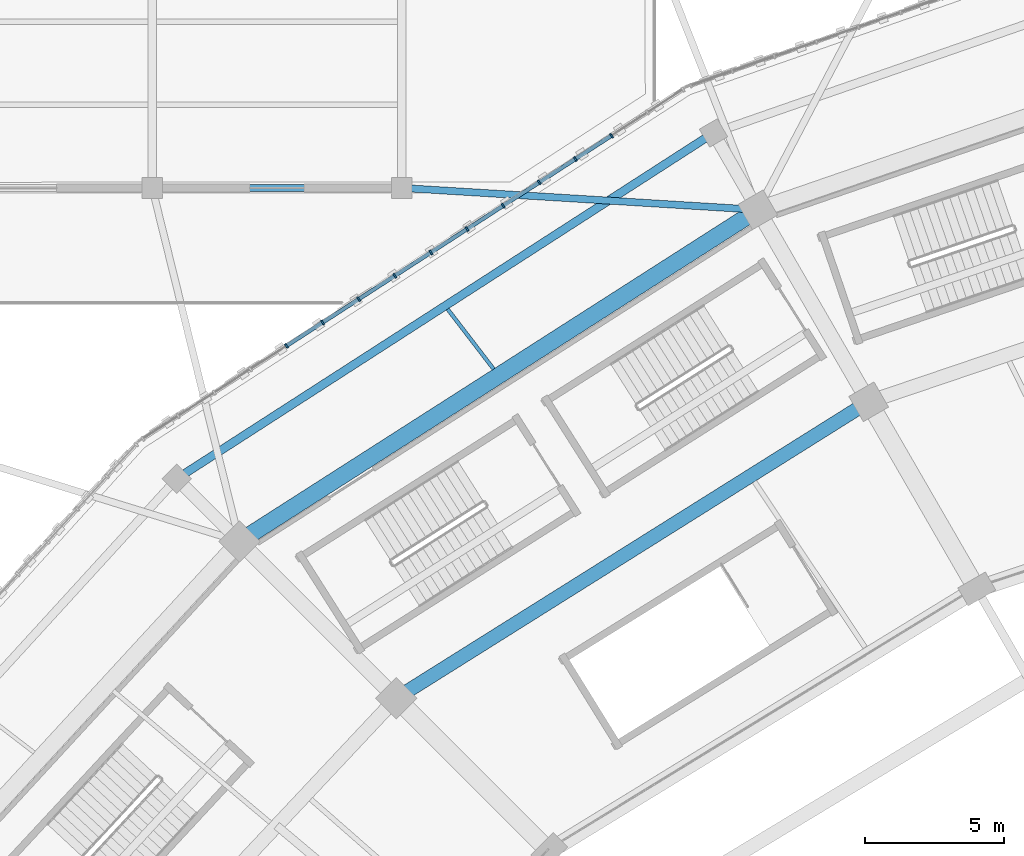
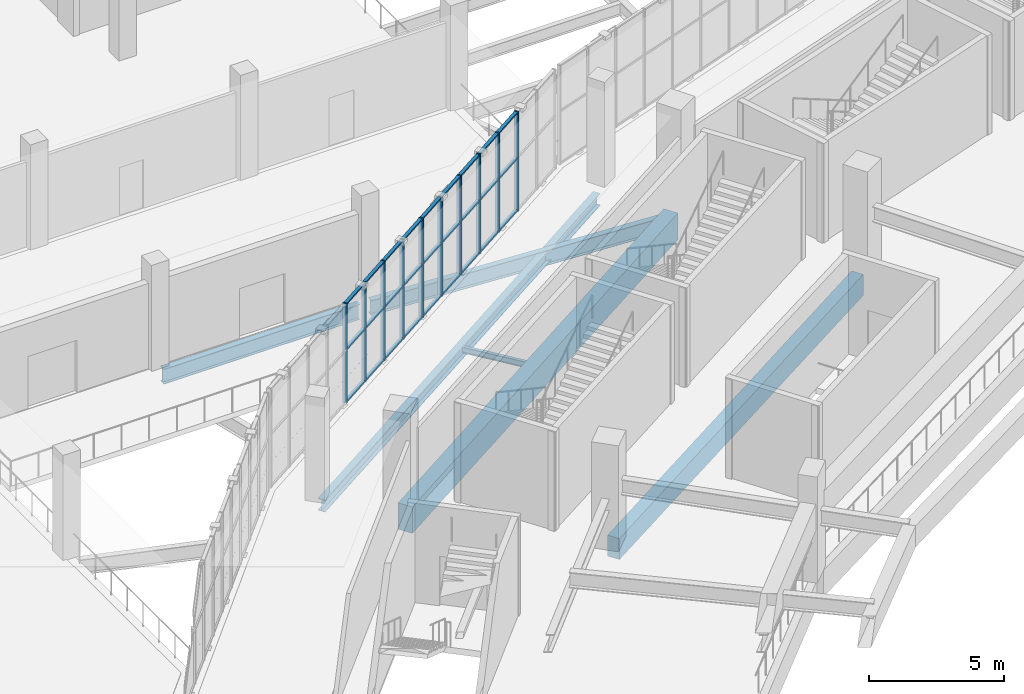
# One storey, part 51 of 179: 37 members, 6 beams, 1 element without a shape of its own.
"""IFC4 building model written with IfcOpenShell, lengths in metres."""

from ifc_helpers import new_model, si_unit, direction, frame, origin, origin_2d, place, context, subcontext, project, spatial, rectangle, i_section, extrude, material, material_profile, profile_set, type_object, element, aggregate, save


model = new_model("IFC4")

# Units and contexts
model_context = context("Model", 3, precision=1e-05, world=origin(), true_north=direction((0.0, 1.0)))
body_context = subcontext(model_context, "Body", "Model", "MODEL_VIEW")
ifc_project = project(units=[si_unit("LENGTHUNIT", "METRE"), si_unit("AREAUNIT", "SQUARE_METRE"), si_unit("VOLUMEUNIT", "CUBIC_METRE"), si_unit("PLANEANGLEUNIT", "RADIAN"), si_unit("MASSUNIT", "GRAM", prefix="KILO")], contexts=[model_context])

# Site, building, storey
site_placement = place(None, origin())
site = spatial("IfcSite", under=ifc_project, at=site_placement, CompositionType="ELEMENT")
building_placement = place(site_placement, origin())
building = spatial("IfcBuilding", under=site, at=building_placement, Name="Zevraka Park Crest Stadium", CompositionType="ELEMENT")
storey_placement = place(building_placement, frame((0.0, 0.0, 10.199951171875)))
storey = spatial("IfcBuildingStorey", under=building, at=storey_placement, Name="L02", CompositionType="ELEMENT", Elevation=10.199951171875)

# Beams
ifc_material_1 = material(Name="Steel S355", Category="steel")
ifc_material_profile_1 = material_profile(ifc_material_1, i_section(OverallWidth=0.253662109375, OverallDepth=0.68359375, WebThickness=0.012451171875, FlangeThickness=0.01904296875, at=origin_2d()), Name="UKB 686x254x140")
ifc_profile_set_1 = profile_set([ifc_material_profile_1], Name="Steel S355")
beam_type_1 = type_object("IfcBeamType", Name="BG05", PredefinedType="BEAM", material=ifc_profile_set_1)
beam_1_placement = place(storey_placement, frame((45.300048828125, 158.0, -0.629638671875), z_axis=(1.0, 0.0, 0.0), x_axis=(0.0, 1.0, 0.0)))
element("IfcBeam", 1, at=beam_1_placement, inside=storey, type_object=beam_type_1, Name="Wing Girder BG05 L02-67/T", PredefinedType="BEAM", context=body_context, shape_type="SweptSolid", body=[
    extrude(i_section(OverallWidth=0.253662109375, OverallDepth=0.68359375, WebThickness=0.012451171875, FlangeThickness=0.01904296875, at=origin_2d()), origin(), (0.0, 0.0, 1.0), 8.39990234375),
])
beam_2_placement = place(storey_placement, frame((54.199951171875, 157.988037109375, -0.629638671875), z_axis=(0.998122867072, -0.061243303531, 0.0), x_axis=(0.061243303531, 0.998122867072, 0.0)))
element("IfcBeam", 2, at=beam_2_placement, inside=storey, type_object=beam_type_1, Name="Wing Link Girder BG05 L02-7/T", PredefinedType="BEAM", context=body_context, shape_type="SweptSolid", body=[
    extrude(i_section(OverallWidth=0.253662109375, OverallDepth=0.68359375, WebThickness=0.012451171875, FlangeThickness=0.01904296875, at=origin_2d()), origin(), (0.0, 0.0, 1.0), 12.294189453125),
])

# Curtain wall, members
ifc_material_2 = material(Name="Anodised architectural aluminium and laminated safety glass", Category="aluminium")
curtain_wall_type = type_object("IfcCurtainWallType", Name="CW08", PredefinedType="NOTDEFINED", material=ifc_material_2)
curtain_wall_placement = place(storey_placement, origin())
curtain_wall = element("IfcCurtainWall", 3, at=curtain_wall_placement, inside=storey, type_object=curtain_wall_type, Name="Unitised Ring Curtain Wall CW08 L02-08", PredefinedType="NOTDEFINED")
ifc_material_3 = material(Name="Anodised architectural aluminium", Category="aluminium")
ifc_material_profile_2 = material_profile(ifc_material_3, rectangle(XDim=0.179931640625, YDim=0.06494140625, at=origin_2d()), Name="ALU MULLION 180x65")
ifc_profile_set_2 = profile_set([ifc_material_profile_2], Name="Anodised architectural aluminium")
member_type_1 = type_object("IfcMemberType", Name="CM02", PredefinedType="MULLION", material=ifc_profile_set_2)
member_1_placement = place(storey_placement, frame((61.570068359375, 159.886474609375, 0.0), z_axis=(0.0, 0.0, 1.0), x_axis=(0.543096287444, -0.839670424967, 0.0)))
member_1 = element("IfcMember", 4, at=member_1_placement, type_object=member_type_1, Name="CW08 mullion 3", PredefinedType="MULLION", context=body_context, shape_type="SweptSolid", body=[
    extrude(rectangle(XDim=0.179931640625, YDim=0.06494140625, at=origin_2d()), origin(), (0.0, 0.0, 1.0), 4.5),
])
member_2_placement = place(storey_placement, frame((60.26708984375, 159.043701171875, 0.0), z_axis=(0.0, 0.0, 1.0), x_axis=(0.543096287444, -0.839670424967, 0.0)))
member_2 = element("IfcMember", 5, at=member_2_placement, type_object=member_type_1, Name="CW08 mullion 4", PredefinedType="MULLION", context=body_context, shape_type="SweptSolid", body=[
    extrude(rectangle(XDim=0.179931640625, YDim=0.06494140625, at=origin_2d()), origin(), (0.0, 0.0, 1.0), 4.5),
])
member_3_placement = place(storey_placement, frame((58.96435546875, 158.201171875, 0.0), z_axis=(0.0, 0.0, 1.0), x_axis=(0.543096287444, -0.839670424967, 0.0)))
member_3 = element("IfcMember", 6, at=member_3_placement, type_object=member_type_1, Name="CW08 mullion 5", PredefinedType="MULLION", context=body_context, shape_type="SweptSolid", body=[
    extrude(rectangle(XDim=0.179931640625, YDim=0.06494140625, at=origin_2d()), origin(), (0.0, 0.0, 1.0), 4.5),
])
member_4_placement = place(storey_placement, frame((57.661376953125, 157.3583984375, 0.0), z_axis=(0.0, 0.0, 1.0), x_axis=(0.543096287444, -0.839670424967, 0.0)))
member_4 = element("IfcMember", 7, at=member_4_placement, type_object=member_type_1, Name="CW08 mullion 6", PredefinedType="MULLION", context=body_context, shape_type="SweptSolid", body=[
    extrude(rectangle(XDim=0.179931640625, YDim=0.06494140625, at=origin_2d()), origin(), (0.0, 0.0, 1.0), 4.5),
])
member_5_placement = place(storey_placement, frame((56.3583984375, 156.515625, 0.0), z_axis=(0.0, 0.0, 1.0), x_axis=(0.543096287444, -0.839670424967, 0.0)))
member_5 = element("IfcMember", 8, at=member_5_placement, type_object=member_type_1, Name="CW08 mullion 7", PredefinedType="MULLION", context=body_context, shape_type="SweptSolid", body=[
    extrude(rectangle(XDim=0.179931640625, YDim=0.06494140625, at=origin_2d()), origin(), (0.0, 0.0, 1.0), 4.5),
])
member_6_placement = place(storey_placement, frame((55.055419921875, 155.6728515625, 0.0), z_axis=(0.0, 0.0, 1.0), x_axis=(0.543096287444, -0.839670424967, 0.0)))
member_6 = element("IfcMember", 9, at=member_6_placement, type_object=member_type_1, Name="CW08 mullion 8", PredefinedType="MULLION", context=body_context, shape_type="SweptSolid", body=[
    extrude(rectangle(XDim=0.179931640625, YDim=0.06494140625, at=origin_2d()), origin(), (0.0, 0.0, 1.0), 4.5),
])
member_7_placement = place(storey_placement, frame((53.75244140625, 154.830078125, 0.0), z_axis=(0.0, 0.0, 1.0), x_axis=(0.543096287444, -0.839670424967, 0.0)))
member_7 = element("IfcMember", 10, at=member_7_placement, type_object=member_type_1, Name="CW08 mullion 9", PredefinedType="MULLION", context=body_context, shape_type="SweptSolid", body=[
    extrude(rectangle(XDim=0.179931640625, YDim=0.06494140625, at=origin_2d()), origin(), (0.0, 0.0, 1.0), 4.5),
])
member_8_placement = place(storey_placement, frame((52.44970703125, 153.9873046875, 0.0), z_axis=(0.0, 0.0, 1.0), x_axis=(0.543096287444, -0.839670424967, 0.0)))
member_8 = element("IfcMember", 11, at=member_8_placement, type_object=member_type_1, Name="CW08 mullion 10", PredefinedType="MULLION", context=body_context, shape_type="SweptSolid", body=[
    extrude(rectangle(XDim=0.179931640625, YDim=0.06494140625, at=origin_2d()), origin(), (0.0, 0.0, 1.0), 4.5),
])
member_9_placement = place(storey_placement, frame((51.146728515625, 153.144775390625, 0.0), z_axis=(0.0, 0.0, 1.0), x_axis=(0.543096287444, -0.839670424967, 0.0)))
member_9 = element("IfcMember", 12, at=member_9_placement, type_object=member_type_1, Name="CW08 mullion 11", PredefinedType="MULLION", context=body_context, shape_type="SweptSolid", body=[
    extrude(rectangle(XDim=0.179931640625, YDim=0.06494140625, at=origin_2d()), origin(), (0.0, 0.0, 1.0), 4.5),
])
member_10_placement = place(storey_placement, frame((49.84375, 152.302001953125, 0.0), z_axis=(0.0, 0.0, 1.0), x_axis=(0.543096287444, -0.839670424967, 0.0)))
member_10 = element("IfcMember", 13, at=member_10_placement, type_object=member_type_1, Name="CW08 mullion 12", PredefinedType="MULLION", context=body_context, shape_type="SweptSolid", body=[
    extrude(rectangle(XDim=0.179931640625, YDim=0.06494140625, at=origin_2d()), origin(), (0.0, 0.0, 1.0), 4.5),
])
ifc_material_4 = material(Name="Anodised architectural aluminium", Category="aluminium")
ifc_material_profile_3 = material_profile(ifc_material_4, rectangle(XDim=0.139892578125, YDim=0.06494140625, at=origin_2d()), Name="ALU TRANSOM 140x65")
ifc_profile_set_3 = profile_set([ifc_material_profile_3], Name="Anodised architectural aluminium")
member_type_2 = type_object("IfcMemberType", Name="CT02", PredefinedType="USERDEFINED", material=ifc_profile_set_3)
member_11_placement = place(storey_placement, frame((61.542724609375, 159.868896484375, 0.032470703125), z_axis=(-0.839675885301, -0.543087845236, 0.0), x_axis=(0.543087845236, -0.839675885301, 0.0)))
member_11 = element("IfcMember", 14, at=member_11_placement, type_object=member_type_2, Name="CW08 transom 3.1", ObjectType="TRANSOM", PredefinedType="USERDEFINED", context=body_context, shape_type="SweptSolid", body=[
    extrude(rectangle(XDim=0.139892578125, YDim=0.06494140625, at=origin_2d()), origin(), (0.0, 0.0, 1.0), 1.486572265625),
])
member_12_placement = place(storey_placement, frame((61.542724609375, 159.868896484375, 2.400146484375), z_axis=(-0.839675885301, -0.543087845236, 0.0), x_axis=(0.543087845236, -0.839675885301, 0.0)))
member_12 = element("IfcMember", 15, at=member_12_placement, type_object=member_type_2, Name="CW08 transom 3.2", ObjectType="TRANSOM", PredefinedType="USERDEFINED", context=body_context, shape_type="SweptSolid", body=[
    extrude(rectangle(XDim=0.139892578125, YDim=0.06494140625, at=origin_2d()), origin(), (0.0, 0.0, 1.0), 1.486572265625),
])
member_13_placement = place(storey_placement, frame((61.542724609375, 159.868896484375, 4.467529296875), z_axis=(-0.839675885301, -0.543087845236, 0.0), x_axis=(0.543087845236, -0.839675885301, 0.0)))
member_13 = element("IfcMember", 16, at=member_13_placement, type_object=member_type_2, Name="CW08 transom 3.3", ObjectType="TRANSOM", PredefinedType="USERDEFINED", context=body_context, shape_type="SweptSolid", body=[
    extrude(rectangle(XDim=0.139892578125, YDim=0.06494140625, at=origin_2d()), origin(), (0.0, 0.0, 1.0), 1.486572265625),
])
member_14_placement = place(storey_placement, frame((60.239990234375, 159.026123046875, 0.032470703125), z_axis=(-0.839724312152, -0.543012964468, 0.0), x_axis=(0.543012964468, -0.839724312152, 0.0)))
member_14 = element("IfcMember", 17, at=member_14_placement, type_object=member_type_2, Name="CW08 transom 4.1", ObjectType="TRANSOM", PredefinedType="USERDEFINED", context=body_context, shape_type="SweptSolid", body=[
    extrude(rectangle(XDim=0.139892578125, YDim=0.06494140625, at=origin_2d()), origin(), (0.0, 0.0, 1.0), 1.48681640625),
])
member_15_placement = place(storey_placement, frame((60.239990234375, 159.026123046875, 2.400146484375), z_axis=(-0.839724312152, -0.543012964468, 0.0), x_axis=(0.543012964468, -0.839724312152, 0.0)))
member_15 = element("IfcMember", 18, at=member_15_placement, type_object=member_type_2, Name="CW08 transom 4.2", ObjectType="TRANSOM", PredefinedType="USERDEFINED", context=body_context, shape_type="SweptSolid", body=[
    extrude(rectangle(XDim=0.139892578125, YDim=0.06494140625, at=origin_2d()), origin(), (0.0, 0.0, 1.0), 1.48681640625),
])
member_16_placement = place(storey_placement, frame((60.239990234375, 159.026123046875, 4.467529296875), z_axis=(-0.839724312152, -0.543012964468, 0.0), x_axis=(0.543012964468, -0.839724312152, 0.0)))
member_16 = element("IfcMember", 19, at=member_16_placement, type_object=member_type_2, Name="CW08 transom 4.3", ObjectType="TRANSOM", PredefinedType="USERDEFINED", context=body_context, shape_type="SweptSolid", body=[
    extrude(rectangle(XDim=0.139892578125, YDim=0.06494140625, at=origin_2d()), origin(), (0.0, 0.0, 1.0), 1.48681640625),
])
member_17_placement = place(storey_placement, frame((58.93701171875, 158.183349609375, 0.032470703125), z_axis=(-0.839675885301, -0.543087845236, 0.0), x_axis=(0.543087845236, -0.839675885301, 0.0)))
member_17 = element("IfcMember", 20, at=member_17_placement, type_object=member_type_2, Name="CW08 transom 5.1", ObjectType="TRANSOM", PredefinedType="USERDEFINED", context=body_context, shape_type="SweptSolid", body=[
    extrude(rectangle(XDim=0.139892578125, YDim=0.06494140625, at=origin_2d()), origin(), (0.0, 0.0, 1.0), 1.486572265625),
])
member_18_placement = place(storey_placement, frame((58.93701171875, 158.183349609375, 2.400146484375), z_axis=(-0.839675885301, -0.543087845236, 0.0), x_axis=(0.543087845236, -0.839675885301, 0.0)))
member_18 = element("IfcMember", 21, at=member_18_placement, type_object=member_type_2, Name="CW08 transom 5.2", ObjectType="TRANSOM", PredefinedType="USERDEFINED", context=body_context, shape_type="SweptSolid", body=[
    extrude(rectangle(XDim=0.139892578125, YDim=0.06494140625, at=origin_2d()), origin(), (0.0, 0.0, 1.0), 1.486572265625),
])
member_19_placement = place(storey_placement, frame((58.93701171875, 158.183349609375, 4.467529296875), z_axis=(-0.839675885301, -0.543087845236, 0.0), x_axis=(0.543087845236, -0.839675885301, 0.0)))
member_19 = element("IfcMember", 22, at=member_19_placement, type_object=member_type_2, Name="CW08 transom 5.3", ObjectType="TRANSOM", PredefinedType="USERDEFINED", context=body_context, shape_type="SweptSolid", body=[
    extrude(rectangle(XDim=0.139892578125, YDim=0.06494140625, at=origin_2d()), origin(), (0.0, 0.0, 1.0), 1.486572265625),
])
member_20_placement = place(storey_placement, frame((57.634033203125, 157.340576171875, 0.032470703125), z_axis=(-0.839675885301, -0.543087845236, 0.0), x_axis=(0.543087845236, -0.839675885301, 0.0)))
member_20 = element("IfcMember", 23, at=member_20_placement, type_object=member_type_2, Name="CW08 transom 6.1", ObjectType="TRANSOM", PredefinedType="USERDEFINED", context=body_context, shape_type="SweptSolid", body=[
    extrude(rectangle(XDim=0.139892578125, YDim=0.06494140625, at=origin_2d()), origin(), (0.0, 0.0, 1.0), 1.486572265625),
])
member_21_placement = place(storey_placement, frame((57.634033203125, 157.340576171875, 2.400146484375), z_axis=(-0.839675885301, -0.543087845236, 0.0), x_axis=(0.543087845236, -0.839675885301, 0.0)))
member_21 = element("IfcMember", 24, at=member_21_placement, type_object=member_type_2, Name="CW08 transom 6.2", ObjectType="TRANSOM", PredefinedType="USERDEFINED", context=body_context, shape_type="SweptSolid", body=[
    extrude(rectangle(XDim=0.139892578125, YDim=0.06494140625, at=origin_2d()), origin(), (0.0, 0.0, 1.0), 1.486572265625),
])
member_22_placement = place(storey_placement, frame((57.634033203125, 157.340576171875, 4.467529296875), z_axis=(-0.839675885301, -0.543087845236, 0.0), x_axis=(0.543087845236, -0.839675885301, 0.0)))
member_22 = element("IfcMember", 25, at=member_22_placement, type_object=member_type_2, Name="CW08 transom 6.3", ObjectType="TRANSOM", PredefinedType="USERDEFINED", context=body_context, shape_type="SweptSolid", body=[
    extrude(rectangle(XDim=0.139892578125, YDim=0.06494140625, at=origin_2d()), origin(), (0.0, 0.0, 1.0), 1.486572265625),
])
member_23_placement = place(storey_placement, frame((56.3310546875, 156.498046875, 0.032470703125), z_axis=(-0.839600995064, -0.543203616599, 0.0), x_axis=(0.543203616599, -0.839600995064, 0.0)))
member_23 = element("IfcMember", 26, at=member_23_placement, type_object=member_type_2, Name="CW08 transom 7.1", ObjectType="TRANSOM", PredefinedType="USERDEFINED", context=body_context, shape_type="SweptSolid", body=[
    extrude(rectangle(XDim=0.139892578125, YDim=0.06494140625, at=origin_2d()), origin(), (0.0, 0.0, 1.0), 1.48681640625),
])
member_24_placement = place(storey_placement, frame((56.3310546875, 156.498046875, 2.400146484375), z_axis=(-0.839600995064, -0.543203616599, 0.0), x_axis=(0.543203616599, -0.839600995064, 0.0)))
member_24 = element("IfcMember", 27, at=member_24_placement, type_object=member_type_2, Name="CW08 transom 7.2", ObjectType="TRANSOM", PredefinedType="USERDEFINED", context=body_context, shape_type="SweptSolid", body=[
    extrude(rectangle(XDim=0.139892578125, YDim=0.06494140625, at=origin_2d()), origin(), (0.0, 0.0, 1.0), 1.48681640625),
])
member_25_placement = place(storey_placement, frame((56.3310546875, 156.498046875, 4.467529296875), z_axis=(-0.839600995064, -0.543203616599, 0.0), x_axis=(0.543203616599, -0.839600995064, 0.0)))
member_25 = element("IfcMember", 28, at=member_25_placement, type_object=member_type_2, Name="CW08 transom 7.3", ObjectType="TRANSOM", PredefinedType="USERDEFINED", context=body_context, shape_type="SweptSolid", body=[
    extrude(rectangle(XDim=0.139892578125, YDim=0.06494140625, at=origin_2d()), origin(), (0.0, 0.0, 1.0), 1.48681640625),
])
member_26_placement = place(storey_placement, frame((55.028076171875, 155.6552734375, 0.032470703125), z_axis=(-0.839675885301, -0.543087845236, 0.0), x_axis=(0.543087845236, -0.839675885301, 0.0)))
member_26 = element("IfcMember", 29, at=member_26_placement, type_object=member_type_2, Name="CW08 transom 8.1", ObjectType="TRANSOM", PredefinedType="USERDEFINED", context=body_context, shape_type="SweptSolid", body=[
    extrude(rectangle(XDim=0.139892578125, YDim=0.06494140625, at=origin_2d()), origin(), (0.0, 0.0, 1.0), 1.486572265625),
])
member_27_placement = place(storey_placement, frame((55.028076171875, 155.6552734375, 2.400146484375), z_axis=(-0.839675885301, -0.543087845236, 0.0), x_axis=(0.543087845236, -0.839675885301, 0.0)))
member_27 = element("IfcMember", 30, at=member_27_placement, type_object=member_type_2, Name="CW08 transom 8.2", ObjectType="TRANSOM", PredefinedType="USERDEFINED", context=body_context, shape_type="SweptSolid", body=[
    extrude(rectangle(XDim=0.139892578125, YDim=0.06494140625, at=origin_2d()), origin(), (0.0, 0.0, 1.0), 1.486572265625),
])
member_28_placement = place(storey_placement, frame((55.028076171875, 155.6552734375, 4.467529296875), z_axis=(-0.839675885301, -0.543087845236, 0.0), x_axis=(0.543087845236, -0.839675885301, 0.0)))
member_28 = element("IfcMember", 31, at=member_28_placement, type_object=member_type_2, Name="CW08 transom 8.3", ObjectType="TRANSOM", PredefinedType="USERDEFINED", context=body_context, shape_type="SweptSolid", body=[
    extrude(rectangle(XDim=0.139892578125, YDim=0.06494140625, at=origin_2d()), origin(), (0.0, 0.0, 1.0), 1.486572265625),
])
member_29_placement = place(storey_placement, frame((53.725341796875, 154.8125, 0.032470703125), z_axis=(-0.839724312152, -0.543012964468, 0.0), x_axis=(0.543012964468, -0.839724312152, 0.0)))
member_29 = element("IfcMember", 32, at=member_29_placement, type_object=member_type_2, Name="CW08 transom 9.1", ObjectType="TRANSOM", PredefinedType="USERDEFINED", context=body_context, shape_type="SweptSolid", body=[
    extrude(rectangle(XDim=0.139892578125, YDim=0.06494140625, at=origin_2d()), origin(), (0.0, 0.0, 1.0), 1.48681640625),
])
member_30_placement = place(storey_placement, frame((53.725341796875, 154.8125, 2.400146484375), z_axis=(-0.839724312152, -0.543012964468, 0.0), x_axis=(0.543012964468, -0.839724312152, 0.0)))
member_30 = element("IfcMember", 33, at=member_30_placement, type_object=member_type_2, Name="CW08 transom 9.2", ObjectType="TRANSOM", PredefinedType="USERDEFINED", context=body_context, shape_type="SweptSolid", body=[
    extrude(rectangle(XDim=0.139892578125, YDim=0.06494140625, at=origin_2d()), origin(), (0.0, 0.0, 1.0), 1.48681640625),
])
member_31_placement = place(storey_placement, frame((53.725341796875, 154.8125, 4.467529296875), z_axis=(-0.839724312152, -0.543012964468, 0.0), x_axis=(0.543012964468, -0.839724312152, 0.0)))
member_31 = element("IfcMember", 34, at=member_31_placement, type_object=member_type_2, Name="CW08 transom 9.3", ObjectType="TRANSOM", PredefinedType="USERDEFINED", context=body_context, shape_type="SweptSolid", body=[
    extrude(rectangle(XDim=0.139892578125, YDim=0.06494140625, at=origin_2d()), origin(), (0.0, 0.0, 1.0), 1.48681640625),
])
member_32_placement = place(storey_placement, frame((52.42236328125, 153.9697265625, 0.032470703125), z_axis=(-0.839675885301, -0.543087845236, 0.0), x_axis=(0.543087845236, -0.839675885301, 0.0)))
member_32 = element("IfcMember", 35, at=member_32_placement, type_object=member_type_2, Name="CW08 transom 10.1", ObjectType="TRANSOM", PredefinedType="USERDEFINED", context=body_context, shape_type="SweptSolid", body=[
    extrude(rectangle(XDim=0.139892578125, YDim=0.06494140625, at=origin_2d()), origin(), (0.0, 0.0, 1.0), 1.486572265625),
])
member_33_placement = place(storey_placement, frame((52.42236328125, 153.9697265625, 2.400146484375), z_axis=(-0.839675885301, -0.543087845236, 0.0), x_axis=(0.543087845236, -0.839675885301, 0.0)))
member_33 = element("IfcMember", 36, at=member_33_placement, type_object=member_type_2, Name="CW08 transom 10.2", ObjectType="TRANSOM", PredefinedType="USERDEFINED", context=body_context, shape_type="SweptSolid", body=[
    extrude(rectangle(XDim=0.139892578125, YDim=0.06494140625, at=origin_2d()), origin(), (0.0, 0.0, 1.0), 1.486572265625),
])
member_34_placement = place(storey_placement, frame((52.42236328125, 153.9697265625, 4.467529296875), z_axis=(-0.839675885301, -0.543087845236, 0.0), x_axis=(0.543087845236, -0.839675885301, 0.0)))
member_34 = element("IfcMember", 37, at=member_34_placement, type_object=member_type_2, Name="CW08 transom 10.3", ObjectType="TRANSOM", PredefinedType="USERDEFINED", context=body_context, shape_type="SweptSolid", body=[
    extrude(rectangle(XDim=0.139892578125, YDim=0.06494140625, at=origin_2d()), origin(), (0.0, 0.0, 1.0), 1.486572265625),
])
member_35_placement = place(storey_placement, frame((51.119384765625, 153.126953125, 0.032470703125), z_axis=(-0.839675885301, -0.543087845236, 0.0), x_axis=(0.543087845236, -0.839675885301, 0.0)))
member_35 = element("IfcMember", 38, at=member_35_placement, type_object=member_type_2, Name="CW08 transom 11.1", ObjectType="TRANSOM", PredefinedType="USERDEFINED", context=body_context, shape_type="SweptSolid", body=[
    extrude(rectangle(XDim=0.139892578125, YDim=0.06494140625, at=origin_2d()), origin(), (0.0, 0.0, 1.0), 1.486572265625),
])
member_36_placement = place(storey_placement, frame((51.119384765625, 153.126953125, 2.400146484375), z_axis=(-0.839675885301, -0.543087845236, 0.0), x_axis=(0.543087845236, -0.839675885301, 0.0)))
member_36 = element("IfcMember", 39, at=member_36_placement, type_object=member_type_2, Name="CW08 transom 11.2", ObjectType="TRANSOM", PredefinedType="USERDEFINED", context=body_context, shape_type="SweptSolid", body=[
    extrude(rectangle(XDim=0.139892578125, YDim=0.06494140625, at=origin_2d()), origin(), (0.0, 0.0, 1.0), 1.486572265625),
])
member_37_placement = place(storey_placement, frame((51.119384765625, 153.126953125, 4.467529296875), z_axis=(-0.839675885301, -0.543087845236, 0.0), x_axis=(0.543087845236, -0.839675885301, 0.0)))
member_37 = element("IfcMember", 40, at=member_37_placement, type_object=member_type_2, Name="CW08 transom 11.3", ObjectType="TRANSOM", PredefinedType="USERDEFINED", context=body_context, shape_type="SweptSolid", body=[
    extrude(rectangle(XDim=0.139892578125, YDim=0.06494140625, at=origin_2d()), origin(), (0.0, 0.0, 1.0), 1.486572265625),
])
aggregate(curtain_wall, [member_1, member_2, member_3, member_4, member_5, member_6, member_7, member_8, member_9, member_10, member_11, member_12, member_13, member_14, member_15, member_16, member_17, member_18, member_19, member_20, member_21, member_22, member_23, member_24, member_25, member_26, member_27, member_28, member_29, member_30, member_31, member_32, member_33, member_34, member_35, member_36, member_37])

# Beams
ifc_material_5 = material(Name="Concrete C40/50", Category="concrete")
ifc_material_profile_4 = material_profile(ifc_material_5, rectangle(XDim=0.60009765625, YDim=1.199951171875, at=origin_2d()), Name="RC 1200x600")
ifc_profile_set_4 = profile_set([ifc_material_profile_4], Name="Concrete C40/50")
beam_type_2 = type_object("IfcBeamType", Name="RB01", PredefinedType="BEAM", material=ifc_profile_set_4)
beam_3_placement = place(storey_placement, frame((66.530029296875, 157.007080078125, -0.60986328125), z_axis=(-0.842325571453, -0.538969045193, 0.0), x_axis=(0.538969045193, -0.842325571453, 0.0)))
element("IfcBeam", 41, at=beam_3_placement, inside=storey, type_object=beam_type_2, Name="Ring Beam RB01 L02-D-08", PredefinedType="BEAM", context=body_context, shape_type="SweptSolid", body=[
    extrude(rectangle(XDim=0.60009765625, YDim=1.199951171875, at=origin_2d()), origin(), (0.0, 0.0, 1.0), 21.443115234375),
])
ifc_material_6 = material(Name="Concrete C40/50", Category="concrete")
ifc_material_profile_5 = material_profile(ifc_material_6, rectangle(XDim=0.5, YDim=0.949951171875, at=origin_2d()), Name="RC 950x500")
ifc_profile_set_5 = profile_set([ifc_material_profile_5], Name="Concrete C40/50")
beam_type_3 = type_object("IfcBeamType", Name="RB02", PredefinedType="BEAM", material=ifc_profile_set_5)
beam_4_placement = place(storey_placement, frame((70.528076171875, 150.08203125, -0.48486328125), z_axis=(-0.847038516183, -0.531531515625, 0.0), x_axis=(0.531531515625, -0.847038516183, 0.0)))
element("IfcBeam", 42, at=beam_4_placement, inside=storey, type_object=beam_type_3, Name="Ring Beam RB02 L02-C-08", PredefinedType="BEAM", context=body_context, shape_type="SweptSolid", body=[
    extrude(rectangle(XDim=0.5, YDim=0.949951171875, at=origin_2d()), origin(), (0.0, 0.0, 1.0), 19.36279296875),
])
ifc_material_7 = material(Name="Steel S355", Category="steel")
ifc_material_profile_6 = material_profile(ifc_material_7, i_section(OverallWidth=0.300048828125, OverallDepth=0.550048828125, WebThickness=0.014892578125, FlangeThickness=0.029052734375, at=origin_2d()), Name="HEB 550")
ifc_profile_set_6 = profile_set([ifc_material_profile_6], Name="Steel S355")
beam_type_4 = type_object("IfcBeamType", Name="RB04", PredefinedType="BEAM", material=ifc_profile_set_6)
beam_5_placement = place(storey_placement, frame((64.9560546875, 159.79296875, -0.5849609375), z_axis=(-0.840676981124, -0.541536899396, 0.0), x_axis=(0.541536899396, -0.840676981124, 0.0)))
element("IfcBeam", 43, at=beam_5_placement, inside=storey, type_object=beam_type_4, Name="Ring Beam RB04 L02-E-08", PredefinedType="BEAM", context=body_context, shape_type="SweptSolid", body=[
    extrude(i_section(OverallWidth=0.300048828125, OverallDepth=0.550048828125, WebThickness=0.014892578125, FlangeThickness=0.029052734375, at=origin_2d()), origin(), (0.0, 0.0, 1.0), 22.33447265625),
])
ifc_material_8 = material(Name="Steel S355", Category="steel")
ifc_material_profile_7 = material_profile(ifc_material_8, i_section(OverallWidth=0.135009765625, OverallDepth=0.27001953125, WebThickness=0.006591796875, FlangeThickness=0.01025390625, at=origin_2d()), Name="IPE 270")
ifc_profile_set_7 = profile_set([ifc_material_profile_7], Name="Steel S355")
beam_type_5 = type_object("IfcBeamType", Name="SJ07", PredefinedType="JOIST", material=ifc_profile_set_7)
beam_6_placement = place(storey_placement, frame((57.319091796875, 151.462890625, -0.4228515625), z_axis=(-0.608829249804, 0.793301294959, 0.0), x_axis=(-0.793301294959, -0.608829249804, 0.0)))
element("IfcBeam", 44, at=beam_6_placement, inside=storey, type_object=beam_type_5, Name="Floor Joist SJ07 L02-DE-08-1", PredefinedType="JOIST", context=body_context, shape_type="SweptSolid", body=[
    extrude(i_section(OverallWidth=0.135009765625, OverallDepth=0.27001953125, WebThickness=0.006591796875, FlangeThickness=0.01025390625, at=origin_2d()), origin(), (0.0, 0.0, 1.0), 2.731689453125),
])

save(model, "model.ifc")
